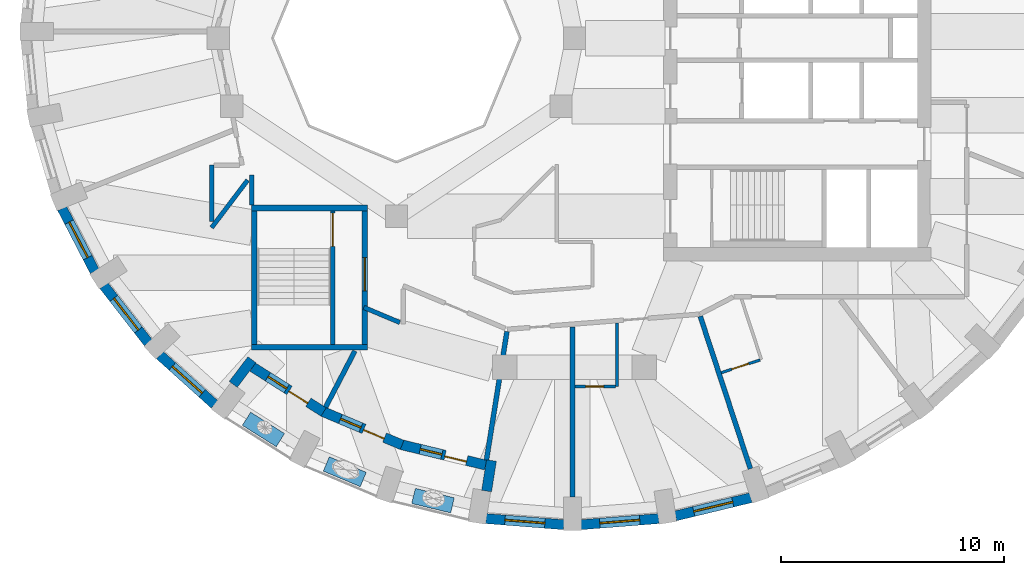
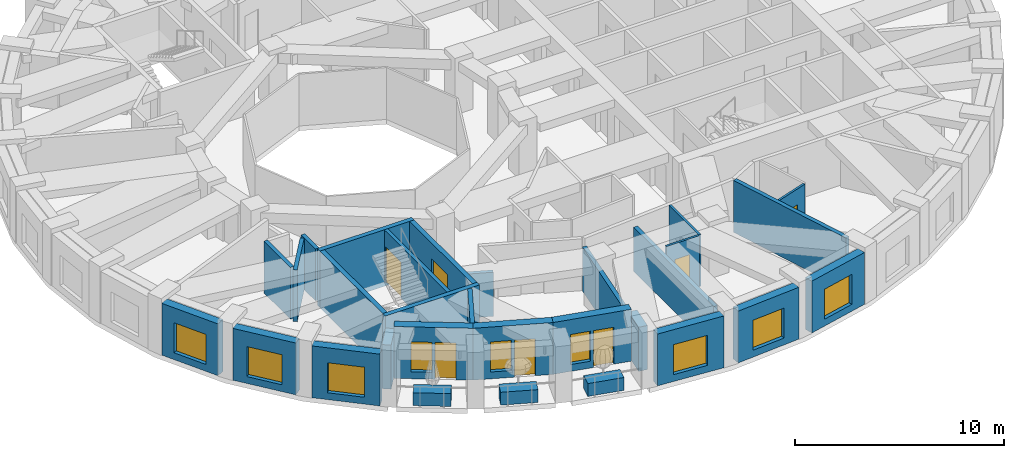
# One storey, part 3 of 12: 30 walls, 9 windows, 7 doors, 16 openings.
"""IFC4 building model written with IfcOpenShell, lengths in metres."""

from ifc_helpers import new_model, si_unit, direction, frame, frame_2d, origin, place, context, subcontext, project, spatial, rectangle, extrude, material, layer, layer_set, constituent, constituent_set, type_object, element, fill, save


model = new_model("IFC4")

# Units and contexts
model_context = context("Model", 3, precision=1e-05, world=origin(), true_north=direction((0.0, 1.0)))
body_context = subcontext(model_context, "Body", "Model", "MODEL_VIEW")
ifc_project = project(units=[si_unit("LENGTHUNIT", "METRE"), si_unit("AREAUNIT", "SQUARE_METRE"), si_unit("VOLUMEUNIT", "CUBIC_METRE"), si_unit("PLANEANGLEUNIT", "RADIAN"), si_unit("MASSUNIT", "GRAM", prefix="KILO")], contexts=[model_context])

# Site, building, storey
site_placement = place(None, origin())
site = spatial("IfcSite", under=ifc_project, at=site_placement, CompositionType="ELEMENT")
building_placement = place(site_placement, origin())
building = spatial("IfcBuilding", under=site, at=building_placement, Name="Taillehof Tower", CompositionType="ELEMENT")
storey_placement = place(building_placement, frame((0.0, 0.0, 253.10009765625)))
storey = spatial("IfcBuildingStorey", under=building, at=storey_placement, Name="L72", CompositionType="ELEMENT", Elevation=253.10009765625)

# Wall, opening, window
ifc_material_1 = material(Name="Brick masonry", Category="masonry")
ifc_layer_1 = layer(ifc_material_1, 0.449951171875)
ifc_layer_set_1 = layer_set([ifc_layer_1], Name="Brick infill wall 450")
wall_type_1 = type_object("IfcWallType", Name="Brick infill wall 450", PredefinedType="SOLIDWALL", material=ifc_layer_set_1)
wall_1_placement = place(storey_placement, frame((-23.010009765625, -7.6396484375, 0.0), z_axis=(0.0, 0.0, 1.0), x_axis=(0.459921155255, -0.887959757505, 0.0)))
wall_1 = element("IfcWall", 1, at=wall_1_placement, inside=storey, type_object=wall_type_1, Name="Brick wall L72 bay 21", PredefinedType="SOLIDWALL", context=body_context, shape_type="SweptSolid", body=[
    extrude(rectangle(XDim=3.185546875, YDim=0.449951171875, at=frame_2d((1.5927734375, 0.0))), origin(), (0.0, 0.0, 1.0), 3.02001953125),
])
opening_1_placement = place(wall_1_placement, frame((0.69287109375, 0.0, 0.39990234375)))
opening_1 = element("IfcOpeningElement", 2, at=opening_1_placement, cuts=wall_1, Name="Opening W4", PredefinedType="OPENING", context=body_context, shape_type="SweptSolid", body=[
    extrude(rectangle(XDim=1.800048828125, YDim=1.75, at=frame_2d((0.89990234375, 0.875))), frame((0.0, 0.23486328125, 0.0), z_axis=(0.0, -1.0, 0.0), x_axis=(1.0, 0.0, 0.0)), (0.0, 0.0, 1.0), 0.469970703125),
])
ifc_material_2 = material(Name="Aluminium window frame with clear double glazing", Category="aluminium")
window_type_1 = type_object("IfcWindowType", Name="Deep-set window 1800x1750", PartitioningType="SINGLE_PANEL", PredefinedType="WINDOW", material=ifc_material_2)
window_1_placement = place(opening_1_placement, origin())
window_1 = element("IfcWindow", 3, at=window_1_placement, inside=storey, type_object=window_type_1, Name="W4", OverallHeight=1.75, OverallWidth=1.800048828125, PartitioningType="SINGLE_PANEL", PredefinedType="WINDOW", context=body_context, shape_type="SweptSolid", body=[
    extrude(rectangle(XDim=1.800048828125, YDim=1.75, at=frame_2d((0.89990234375, 0.875))), frame((0.0, 0.034912109375, 0.0), z_axis=(0.0, -1.0, 0.0), x_axis=(1.0, 0.0, 0.0)), (0.0, 0.0, 1.0), 0.06005859375),
])
fill(opening_1, window_1)

wall_2_placement = place(storey_placement, frame((-21.135009765625, -11.108642578125, 0.0), z_axis=(0.0, 0.0, 1.0), x_axis=(0.613898970825, -0.789384604372, 0.0)))
wall_2 = element("IfcWall", 4, at=wall_2_placement, inside=storey, type_object=wall_type_1, Name="Brick wall L72 bay 22", PredefinedType="SOLIDWALL", context=body_context, shape_type="SweptSolid", body=[
    extrude(rectangle(XDim=3.2470703125, YDim=0.449951171875, at=frame_2d((1.62353515625, 0.0))), origin(), (0.0, 0.0, 1.0), 3.02001953125),
])
opening_2_placement = place(wall_2_placement, frame((0.7236328125, 0.0, 0.39990234375)))
opening_2 = element("IfcOpeningElement", 5, at=opening_2_placement, cuts=wall_2, Name="Opening W4", PredefinedType="OPENING", context=body_context, shape_type="SweptSolid", body=[
    extrude(rectangle(XDim=1.800048828125, YDim=1.75, at=frame_2d((0.89990234375, 0.875))), frame((0.0, 0.23486328125, 0.0), z_axis=(0.0, -1.0, 0.0), x_axis=(1.0, 0.0, 0.0)), (0.0, 0.0, 1.0), 0.469970703125),
])
window_2_placement = place(opening_2_placement, origin())
window_2 = element("IfcWindow", 6, at=window_2_placement, inside=storey, type_object=window_type_1, Name="W4", OverallHeight=1.75, OverallWidth=1.800048828125, PartitioningType="SINGLE_PANEL", PredefinedType="WINDOW", context=body_context, shape_type="SweptSolid", body=[
    extrude(rectangle(XDim=1.800048828125, YDim=1.75, at=frame_2d((0.89990234375, 0.875))), frame((0.0, 0.034912109375, 0.0), z_axis=(0.0, -1.0, 0.0), x_axis=(1.0, 0.0, 0.0)), (0.0, 0.0, 1.0), 0.06005859375),
])
fill(opening_2, window_2)

wall_3_placement = place(storey_placement, frame((-18.623779296875, -14.228515625, 0.0), z_axis=(0.0, 0.0, 1.0), x_axis=(0.743166014219, -0.669107073128, 0.0)))
wall_3 = element("IfcWall", 7, at=wall_3_placement, inside=storey, type_object=wall_type_1, Name="Brick wall L72 bay 23", PredefinedType="SOLIDWALL", context=body_context, shape_type="SweptSolid", body=[
    extrude(rectangle(XDim=3.31640625, YDim=0.449951171875, at=frame_2d((1.658203125, 0.0))), origin(), (0.0, 0.0, 1.0), 3.02001953125),
])
opening_3_placement = place(wall_3_placement, frame((0.75830078125, 0.0, 0.39990234375)))
opening_3 = element("IfcOpeningElement", 8, at=opening_3_placement, cuts=wall_3, Name="Opening W4", PredefinedType="OPENING", context=body_context, shape_type="SweptSolid", body=[
    extrude(rectangle(XDim=1.800048828125, YDim=1.75, at=frame_2d((0.89990234375, 0.875))), frame((0.0, 0.23486328125, 0.0), z_axis=(0.0, -1.0, 0.0), x_axis=(1.0, 0.0, 0.0)), (0.0, 0.0, 1.0), 0.469970703125),
])
window_3_placement = place(opening_3_placement, origin())
window_3 = element("IfcWindow", 9, at=window_3_placement, inside=storey, type_object=window_type_1, Name="W4", OverallHeight=1.75, OverallWidth=1.800048828125, PartitioningType="SINGLE_PANEL", PredefinedType="WINDOW", context=body_context, shape_type="SweptSolid", body=[
    extrude(rectangle(XDim=1.800048828125, YDim=1.75, at=frame_2d((0.89990234375, 0.875))), frame((0.0, 0.034912109375, 0.0), z_axis=(0.0, -1.0, 0.0), x_axis=(1.0, 0.0, 0.0)), (0.0, 0.0, 1.0), 0.06005859375),
])
fill(opening_3, window_3)

wall_4_placement = place(storey_placement, frame((-3.978515625, -21.56884765625, 0.0), z_axis=(0.0, 0.0, 1.0), x_axis=(0.996910775835, -0.078542377245, 0.0)))
wall_4 = element("IfcWall", 10, at=wall_4_placement, inside=storey, type_object=wall_type_1, Name="Brick wall L72 bay 27", PredefinedType="SOLIDWALL", context=body_context, shape_type="SweptSolid", body=[
    extrude(rectangle(XDim=3.50927734375, YDim=0.449951171875, at=frame_2d((1.754638671875, 0.0))), origin(), (0.0, 0.0, 1.0), 3.02001953125),
])
opening_4_placement = place(wall_4_placement, frame((0.854736328125, 0.0, 0.39990234375)))
opening_4 = element("IfcOpeningElement", 11, at=opening_4_placement, cuts=wall_4, Name="Opening W4", PredefinedType="OPENING", context=body_context, shape_type="SweptSolid", body=[
    extrude(rectangle(XDim=1.800048828125, YDim=1.75, at=frame_2d((0.89990234375, 0.875))), frame((0.0, 0.23486328125, 0.0), z_axis=(0.0, -1.0, 0.0), x_axis=(1.0, 0.0, 0.0)), (0.0, 0.0, 1.0), 0.469970703125),
])
window_4_placement = place(opening_4_placement, origin())
window_4 = element("IfcWindow", 12, at=window_4_placement, inside=storey, type_object=window_type_1, Name="W4", OverallHeight=1.75, OverallWidth=1.800048828125, PartitioningType="SINGLE_PANEL", PredefinedType="WINDOW", context=body_context, shape_type="SweptSolid", body=[
    extrude(rectangle(XDim=1.800048828125, YDim=1.75, at=frame_2d((0.89990234375, 0.875))), frame((0.0, 0.034912109375, 0.0), z_axis=(0.0, -1.0, 0.0), x_axis=(1.0, 0.0, 0.0)), (0.0, 0.0, 1.0), 0.06005859375),
])
fill(opening_4, window_4)

wall_5_placement = place(storey_placement, frame((0.280029296875, -21.844482421875, 0.0), z_axis=(0.0, 0.0, 1.0), x_axis=(0.996910775835, 0.078542377245, 0.0)))
wall_5 = element("IfcWall", 13, at=wall_5_placement, inside=storey, type_object=wall_type_1, Name="Brick wall L72 bay 28", PredefinedType="SOLIDWALL", context=body_context, shape_type="SweptSolid", body=[
    extrude(rectangle(XDim=3.50927734375, YDim=0.449951171875, at=frame_2d((1.754638671875, 0.0))), origin(), (0.0, 0.0, 1.0), 3.02001953125),
])
opening_5_placement = place(wall_5_placement, frame((0.854736328125, 0.0, 0.39990234375)))
opening_5 = element("IfcOpeningElement", 14, at=opening_5_placement, cuts=wall_5, Name="Opening W4", PredefinedType="OPENING", context=body_context, shape_type="SweptSolid", body=[
    extrude(rectangle(XDim=1.800048828125, YDim=1.75, at=frame_2d((0.89990234375, 0.875))), frame((0.0, 0.23486328125, 0.0), z_axis=(0.0, -1.0, 0.0), x_axis=(1.0, 0.0, 0.0)), (0.0, 0.0, 1.0), 0.469970703125),
])
window_5_placement = place(opening_5_placement, origin())
window_5 = element("IfcWindow", 15, at=window_5_placement, inside=storey, type_object=window_type_1, Name="W4", OverallHeight=1.75, OverallWidth=1.800048828125, PartitioningType="SINGLE_PANEL", PredefinedType="WINDOW", context=body_context, shape_type="SweptSolid", body=[
    extrude(rectangle(XDim=1.800048828125, YDim=1.75, at=frame_2d((0.89990234375, 0.875))), frame((0.0, 0.034912109375, 0.0), z_axis=(0.0, -1.0, 0.0), x_axis=(1.0, 0.0, 0.0)), (0.0, 0.0, 1.0), 0.06005859375),
])
fill(opening_5, window_5)

wall_6_placement = place(storey_placement, frame((4.529296875, -21.449462890625, 0.0), z_axis=(0.0, 0.0, 1.0), x_axis=(0.972115243017, 0.234503633859, 0.0)))
wall_6 = element("IfcWall", 16, at=wall_6_placement, inside=storey, type_object=wall_type_1, Name="Brick wall L72 bay 29", PredefinedType="SOLIDWALL", context=body_context, shape_type="SweptSolid", body=[
    extrude(rectangle(XDim=3.486572265625, YDim=0.449951171875, at=frame_2d((1.7431640625, 0.0))), origin(), (0.0, 0.0, 1.0), 3.02001953125),
])
opening_6_placement = place(wall_6_placement, frame((0.84326171875, 0.0, 0.39990234375)))
opening_6 = element("IfcOpeningElement", 17, at=opening_6_placement, cuts=wall_6, Name="Opening W4", PredefinedType="OPENING", context=body_context, shape_type="SweptSolid", body=[
    extrude(rectangle(XDim=1.800048828125, YDim=1.75, at=frame_2d((0.89990234375, 0.875))), frame((0.0, 0.23486328125, 0.0), z_axis=(0.0, -1.0, 0.0), x_axis=(1.0, 0.0, 0.0)), (0.0, 0.0, 1.0), 0.469970703125),
])
window_6_placement = place(opening_6_placement, origin())
window_6 = element("IfcWindow", 18, at=window_6_placement, inside=storey, type_object=window_type_1, Name="W4", OverallHeight=1.75, OverallWidth=1.800048828125, PartitioningType="SINGLE_PANEL", PredefinedType="WINDOW", context=body_context, shape_type="SweptSolid", body=[
    extrude(rectangle(XDim=1.800048828125, YDim=1.75, at=frame_2d((0.89990234375, 0.875))), frame((0.0, 0.034912109375, 0.0), z_axis=(0.0, -1.0, 0.0), x_axis=(1.0, 0.0, 0.0)), (0.0, 0.0, 1.0), 0.06005859375),
])
fill(opening_6, window_6)

# Walls
wall_7_placement = place(storey_placement, frame((-15.3271484375, -15.544677734375, 0.0), z_axis=(0.0, 0.0, 1.0), x_axis=(0.604148273711, 0.79687192407, 0.0)))
element("IfcWall", 19, at=wall_7_placement, inside=storey, type_object=wall_type_1, Name="Brick reveal L72 pocket 7", PredefinedType="SOLIDWALL", context=body_context, shape_type="SweptSolid", body=[
    extrude(rectangle(XDim=1.390869140625, YDim=0.449951171875, at=frame_2d((0.6953125, 0.0))), origin(), (0.0, 0.0, 1.0), 2.56982421875),
])
wall_8_placement = place(storey_placement, frame((-3.951416015625, -20.33349609375, 0.0), z_axis=(0.0, 0.0, 1.0), x_axis=(0.157189016474, 0.9875685359, 0.0)))
element("IfcWall", 20, at=wall_8_placement, inside=storey, type_object=wall_type_1, Name="Brick reveal L72 pocket 7", PredefinedType="SOLIDWALL", context=body_context, shape_type="SweptSolid", body=[
    extrude(rectangle(XDim=1.39013671875, YDim=0.449951171875, at=frame_2d((0.695068359375, 0.0))), origin(), (0.0, 0.0, 1.0), 2.56982421875),
])

# Wall, openings, door, window
wall_9_placement = place(storey_placement, frame((-14.455078125, -14.7666015625, 0.0), z_axis=(0.0, 0.0, 1.0), x_axis=(0.845183955488, -0.534475519912, 0.0)))
wall_9 = element("IfcWall", 21, at=wall_9_placement, inside=storey, type_object=wall_type_1, Name="Brick wall L72 pocket bay 24", PredefinedType="SOLIDWALL", context=body_context, shape_type="SweptSolid", body=[
    extrude(rectangle(XDim=3.7685546875, YDim=0.449951171875, at=frame_2d((1.88427734375, 0.0))), origin(), (0.0, 0.0, 1.0), 3.02001953125),
])
opening_7_placement = place(wall_9_placement, frame((0.809326171875, 0.0, 0.39990234375)))
opening_7 = element("IfcOpeningElement", 22, at=opening_7_placement, cuts=wall_9, Name="Opening W5", PredefinedType="OPENING", context=body_context, shape_type="SweptSolid", body=[
    extrude(rectangle(XDim=1.0, YDim=1.75, at=frame_2d((0.5, 0.875))), frame((0.0, 0.23486328125, 0.0), z_axis=(0.0, -1.0, 0.0), x_axis=(1.0, 0.0, 0.0)), (0.0, 0.0, 1.0), 0.469970703125),
])
opening_8_placement = place(wall_9_placement, frame((1.959228515625, 0.0, 0.0)))
opening_8 = element("IfcOpeningElement", 23, at=opening_8_placement, cuts=wall_9, Name="Opening D7294", PredefinedType="OPENING", context=body_context, shape_type="SweptSolid", body=[
    extrude(rectangle(XDim=1.0, YDim=2.14990234375, at=frame_2d((0.5, 1.074951171875))), frame((0.0, 0.23486328125, 0.0), z_axis=(0.0, -1.0, 0.0), x_axis=(1.0, 0.0, 0.0)), (0.0, 0.0, 1.0), 0.469970703125),
])
ifc_material_3 = material(Name="Aluminium door frame with clear double glazing", Category="aluminium")
door_type_1 = type_object("IfcDoorType", Name="Balcony door 1000x2150", OperationType="SINGLE_SWING_RIGHT", PredefinedType="DOOR", material=ifc_material_3)
door_1_placement = place(opening_8_placement, frame((1.0, 0.0, 0.0), z_axis=(0.0, 0.0, 1.0), x_axis=(-1.0, 0.0, 0.0)))
door_1 = element("IfcDoor", 24, at=door_1_placement, inside=storey, type_object=door_type_1, Name="Balcony door L72 bay 24", OperationType="SINGLE_SWING_RIGHT", OverallHeight=2.14990234375, OverallWidth=1.0, PredefinedType="DOOR", context=body_context, shape_type="SweptSolid", body=[
    extrude(rectangle(XDim=1.0, YDim=2.14990234375, at=frame_2d((0.5, 1.074951171875))), frame((0.0, 0.0751953125, 0.0), z_axis=(0.0, -1.0, 0.0), x_axis=(1.0, 0.0, 0.0)), (0.0, 0.0, 1.0), 0.050048828125),
])
fill(opening_8, door_1)
ifc_material_4 = material(Name="Aluminium window frame with clear double glazing", Category="aluminium")
window_type_2 = type_object("IfcWindowType", Name="Fixed window 1000x1750", PartitioningType="SINGLE_PANEL", PredefinedType="WINDOW", material=ifc_material_4)
window_7_placement = place(opening_7_placement, origin())
window_7 = element("IfcWindow", 25, at=window_7_placement, inside=storey, type_object=window_type_2, Name="W5", OverallHeight=1.75, OverallWidth=1.0, PartitioningType="SINGLE_PANEL", PredefinedType="WINDOW", context=body_context, shape_type="SweptSolid", body=[
    extrude(rectangle(XDim=1.0, YDim=1.75, at=frame_2d((0.5, 0.875))), frame((0.0, 0.034912109375, 0.0), z_axis=(0.0, -1.0, 0.0), x_axis=(1.0, 0.0, 0.0)), (0.0, 0.0, 1.0), 0.06005859375),
])
fill(opening_7, window_7)

wall_10_placement = place(storey_placement, frame((-11.302978515625, -16.763671875, 0.0), z_axis=(0.0, 0.0, 1.0), x_axis=(0.921625850704, -0.388079619813, 0.0)))
wall_10 = element("IfcWall", 26, at=wall_10_placement, inside=storey, type_object=wall_type_1, Name="Brick wall L72 pocket bay 25", PredefinedType="SOLIDWALL", context=body_context, shape_type="SweptSolid", body=[
    extrude(rectangle(XDim=3.860107421875, YDim=0.449951171875, at=frame_2d((1.93017578125, 0.0))), origin(), (0.0, 0.0, 1.0), 3.02001953125),
])
opening_9_placement = place(wall_10_placement, frame((0.855224609375, 0.0, 0.39990234375)))
opening_9 = element("IfcOpeningElement", 27, at=opening_9_placement, cuts=wall_10, Name="Opening W5", PredefinedType="OPENING", context=body_context, shape_type="SweptSolid", body=[
    extrude(rectangle(XDim=1.0, YDim=1.75, at=frame_2d((0.5, 0.875))), frame((0.0, 0.23486328125, 0.0), z_axis=(0.0, -1.0, 0.0), x_axis=(1.0, 0.0, 0.0)), (0.0, 0.0, 1.0), 0.469970703125),
])
opening_10_placement = place(wall_10_placement, frame((2.005126953125, 0.0, 0.0)))
opening_10 = element("IfcOpeningElement", 28, at=opening_10_placement, cuts=wall_10, Name="Opening D7295", PredefinedType="OPENING", context=body_context, shape_type="SweptSolid", body=[
    extrude(rectangle(XDim=1.0, YDim=2.14990234375, at=frame_2d((0.5, 1.074951171875))), frame((0.0, 0.23486328125, 0.0), z_axis=(0.0, -1.0, 0.0), x_axis=(1.0, 0.0, 0.0)), (0.0, 0.0, 1.0), 0.469970703125),
])
door_2_placement = place(opening_10_placement, frame((1.0, 0.0, 0.0), z_axis=(0.0, 0.0, 1.0), x_axis=(-1.0, 0.0, 0.0)))
door_2 = element("IfcDoor", 29, at=door_2_placement, inside=storey, type_object=door_type_1, Name="Balcony door L72 bay 25", OperationType="SINGLE_SWING_LEFT", OverallHeight=2.14990234375, OverallWidth=1.0, PredefinedType="DOOR", context=body_context, shape_type="SweptSolid", body=[
    extrude(rectangle(XDim=1.0, YDim=2.14990234375, at=frame_2d((0.5, 1.074951171875))), frame((0.0, 0.0751953125, 0.0), z_axis=(0.0, -1.0, 0.0), x_axis=(1.0, 0.0, 0.0)), (0.0, 0.0, 1.0), 0.050048828125),
])
fill(opening_10, door_2)
window_8_placement = place(opening_9_placement, origin())
window_8 = element("IfcWindow", 30, at=window_8_placement, inside=storey, type_object=window_type_2, Name="W5", OverallHeight=1.75, OverallWidth=1.0, PartitioningType="SINGLE_PANEL", PredefinedType="WINDOW", context=body_context, shape_type="SweptSolid", body=[
    extrude(rectangle(XDim=1.0, YDim=1.75, at=frame_2d((0.5, 0.875))), frame((0.0, 0.034912109375, 0.0), z_axis=(0.0, -1.0, 0.0), x_axis=(1.0, 0.0, 0.0)), (0.0, 0.0, 1.0), 0.06005859375),
])
fill(opening_9, window_8)

wall_11_placement = place(storey_placement, frame((-7.779541015625, -18.25048828125, 0.0), z_axis=(0.0, 0.0, 1.0), x_axis=(0.971943523304, -0.235214343755, 0.0)))
wall_11 = element("IfcWall", 31, at=wall_11_placement, inside=storey, type_object=wall_type_1, Name="Brick wall L72 pocket bay 26", PredefinedType="SOLIDWALL", context=body_context, shape_type="SweptSolid", body=[
    extrude(rectangle(XDim=3.8955078125, YDim=0.449951171875, at=frame_2d((1.94775390625, 0.0))), origin(), (0.0, 0.0, 1.0), 3.02001953125),
])
opening_11_placement = place(wall_11_placement, frame((0.872802734375, 0.0, 0.39990234375)))
opening_11 = element("IfcOpeningElement", 32, at=opening_11_placement, cuts=wall_11, Name="Opening W5", PredefinedType="OPENING", context=body_context, shape_type="SweptSolid", body=[
    extrude(rectangle(XDim=1.0, YDim=1.75, at=frame_2d((0.5, 0.875))), frame((0.0, 0.23486328125, 0.0), z_axis=(0.0, -1.0, 0.0), x_axis=(1.0, 0.0, 0.0)), (0.0, 0.0, 1.0), 0.469970703125),
])
opening_12_placement = place(wall_11_placement, frame((2.022705078125, 0.0, 0.0)))
opening_12 = element("IfcOpeningElement", 33, at=opening_12_placement, cuts=wall_11, Name="Opening D7296", PredefinedType="OPENING", context=body_context, shape_type="SweptSolid", body=[
    extrude(rectangle(XDim=1.0, YDim=2.14990234375, at=frame_2d((0.5, 1.074951171875))), frame((0.0, 0.23486328125, 0.0), z_axis=(0.0, -1.0, 0.0), x_axis=(1.0, 0.0, 0.0)), (0.0, 0.0, 1.0), 0.469970703125),
])
door_3_placement = place(opening_12_placement, frame((1.0, 0.0, 0.0), z_axis=(0.0, 0.0, 1.0), x_axis=(-1.0, 0.0, 0.0)))
door_3 = element("IfcDoor", 34, at=door_3_placement, inside=storey, type_object=door_type_1, Name="Balcony door L72 bay 26", OperationType="SINGLE_SWING_LEFT", OverallHeight=2.14990234375, OverallWidth=1.0, PredefinedType="DOOR", context=body_context, shape_type="SweptSolid", body=[
    extrude(rectangle(XDim=1.0, YDim=2.14990234375, at=frame_2d((0.5, 1.074951171875))), frame((0.0, 0.0751953125, 0.0), z_axis=(0.0, -1.0, 0.0), x_axis=(1.0, 0.0, 0.0)), (0.0, 0.0, 1.0), 0.050048828125),
])
fill(opening_12, door_3)
window_9_placement = place(opening_11_placement, origin())
window_9 = element("IfcWindow", 35, at=window_9_placement, inside=storey, type_object=window_type_2, Name="W5", OverallHeight=1.75, OverallWidth=1.0, PartitioningType="SINGLE_PANEL", PredefinedType="WINDOW", context=body_context, shape_type="SweptSolid", body=[
    extrude(rectangle(XDim=1.0, YDim=1.75, at=frame_2d((0.5, 0.875))), frame((0.0, 0.034912109375, 0.0), z_axis=(0.0, -1.0, 0.0), x_axis=(1.0, 0.0, 0.0)), (0.0, 0.0, 1.0), 0.06005859375),
])
fill(opening_11, window_9)

# Walls
ifc_material_5 = material(Name="Gypsum board on steel studs, two layers each side", Category="steel")
ifc_layer_2 = layer(ifc_material_5, 0.199951171875)
ifc_layer_set_2 = layer_set([ifc_layer_2], Name="Compartment wall corridor 200")
wall_type_2 = type_object("IfcWallType", Name="Compartment wall corridor 200", PredefinedType="PARTITIONING", material=ifc_layer_set_2)
wall_12_placement = place(storey_placement, frame((-7.846435546875, -12.765869140625, 0.0), z_axis=(0.0, 0.0, 1.0), x_axis=(-0.921813756196, 0.387633072489, 0.0)))
element("IfcWall", 36, at=wall_12_placement, inside=storey, type_object=wall_type_2, Name="Compartment wall", PredefinedType="PARTITIONING", context=body_context, shape_type="SweptSolid", body=[
    extrude(rectangle(XDim=1.7509765625, YDim=0.199951171875, at=frame_2d((0.87548828125, 0.0))), origin(), (0.0, 0.0, 1.0), 2.56982421875),
])
wall_13_placement = place(storey_placement, frame((-14.5, -7.49609375, 0.0), z_axis=(0.0, 0.0, 1.0), x_axis=(0.0, 1.0, 0.0)))
element("IfcWall", 37, at=wall_13_placement, inside=storey, type_object=wall_type_2, Name="Compartment wall", PredefinedType="PARTITIONING", context=body_context, shape_type="SweptSolid", body=[
    extrude(rectangle(XDim=1.36181640625, YDim=0.199951171875, at=frame_2d((0.680908203125, 0.0))), origin(), (0.0, 0.0, 1.0), 3.02001953125),
])
wall_14_placement = place(storey_placement, frame((-14.679443359375, -6.372314453125, 0.0), z_axis=(0.0, 0.0, 1.0), x_axis=(-0.604258962547, -0.796787993247, 0.0)))
element("IfcWall", 38, at=wall_14_placement, inside=storey, type_object=wall_type_2, Name="Compartment wall", PredefinedType="PARTITIONING", context=body_context, shape_type="SweptSolid", body=[
    extrude(rectangle(XDim=2.681884765625, YDim=0.199951171875, at=frame_2d((1.3408203125, 0.0))), origin(), (0.0, 0.0, 1.0), 3.02001953125),
])
wall_15_placement = place(storey_placement, frame((-16.300048828125, -8.22900390625, 0.0), z_axis=(0.0, 0.0, 1.0), x_axis=(0.0, 1.0, 0.0)))
element("IfcWall", 39, at=wall_15_placement, inside=storey, type_object=wall_type_2, Name="Compartment wall", PredefinedType="PARTITIONING", context=body_context, shape_type="SweptSolid", body=[
    extrude(rectangle(XDim=2.529052734375, YDim=0.199951171875, at=frame_2d((1.2646484375, 0.0))), origin(), (0.0, 0.0, 1.0), 3.02001953125),
])
ifc_material_6 = material(Name="Gypsum board on double steel studs with mineral wool", Category="steel")
ifc_layer_3 = layer(ifc_material_6, 0.219970703125)
ifc_layer_set_3 = layer_set([ifc_layer_3], Name="Compartment wall guest room 220")
wall_type_3 = type_object("IfcWallType", Name="Compartment wall guest room 220", PredefinedType="PARTITIONING", material=ifc_layer_set_3)
wall_16_placement = place(storey_placement, frame((-11.181396484375, -16.570556640625, 0.0), z_axis=(0.0, 0.0, 1.0), x_axis=(0.462325972726, 0.886710039947, 0.0)))
element("IfcWall", 40, at=wall_16_placement, inside=storey, type_object=wall_type_3, Name="Compartment wall", PredefinedType="PARTITIONING", context=body_context, shape_type="SweptSolid", body=[
    extrude(rectangle(XDim=2.8505859375, YDim=0.219970703125, at=frame_2d((1.42529296875, 0.0))), origin(), (0.0, 0.0, 1.0), 3.02001953125),
])
wall_17_placement = place(storey_placement, frame((-3.9580078125, -18.94384765625, 0.0), z_axis=(0.0, 0.0, 1.0), x_axis=(0.157252920937, 0.987558362253, 0.0)))
element("IfcWall", 41, at=wall_17_placement, inside=storey, type_object=wall_type_3, Name="Compartment wall", PredefinedType="PARTITIONING", context=body_context, shape_type="SweptSolid", body=[
    extrude(rectangle(XDim=5.848388671875, YDim=0.219970703125, at=frame_2d((2.92431640625, 0.0))), origin(), (0.0, 0.0, 1.0), 2.56982421875),
])
wall_18_placement = place(storey_placement, frame((-0.10009765625, -20.60009765625, 0.0), z_axis=(0.0, 0.0, 1.0), x_axis=(0.0, 1.0, 0.0)))
element("IfcWall", 42, at=wall_18_placement, inside=storey, type_object=wall_type_3, Name="Compartment wall", PredefinedType="PARTITIONING", context=body_context, shape_type="SweptSolid", body=[
    extrude(rectangle(XDim=7.64013671875, YDim=0.219970703125, at=frame_2d((3.820068359375, 0.0))), origin(), (0.0, 0.0, 1.0), 2.56982421875),
])
wall_19_placement = place(storey_placement, frame((7.891357421875, -19.331787109375, 0.0), z_axis=(0.0, 0.0, 1.0), x_axis=(-0.31230054546, 0.94998335212, 0.0)))
element("IfcWall", 43, at=wall_19_placement, inside=storey, type_object=wall_type_3, Name="Compartment wall", PredefinedType="PARTITIONING", context=body_context, shape_type="SweptSolid", body=[
    extrude(rectangle(XDim=7.203857421875, YDim=0.219970703125, at=frame_2d((3.60205078125, 0.0))), origin(), (0.0, 0.0, 1.0), 3.02001953125),
])
ifc_material_7 = material(Name="Gypsum board on steel studs, moisture resistant", Category="steel")
ifc_layer_4 = layer(ifc_material_7, 0.1201171875)
ifc_layer_set_4 = layer_set([ifc_layer_4], Name="En-suite wall 120")
wall_type_4 = type_object("IfcWallType", Name="En-suite wall 120", PredefinedType="PARTITIONING", material=ifc_layer_set_4)
wall_20_placement = place(storey_placement, frame((1.89990234375, -12.782958984375, 0.0), z_axis=(0.0, 0.0, 1.0), x_axis=(0.0, -1.0, 0.0)))
element("IfcWall", 44, at=wall_20_placement, inside=storey, type_object=wall_type_4, Name="En-suite wall", PredefinedType="PARTITIONING", context=body_context, shape_type="SweptSolid", body=[
    extrude(rectangle(XDim=2.856689453125, YDim=0.1201171875, at=frame_2d((1.42822265625, 0.0))), origin(), (0.0, 0.0, 1.0), 3.02001953125),
])

# Wall, opening, door
wall_21_placement = place(storey_placement, frame((1.83984375, -15.6396484375, 0.0), z_axis=(0.0, 0.0, 1.0), x_axis=(-1.0, 0.0, 0.0)))
wall_21 = element("IfcWall", 45, at=wall_21_placement, inside=storey, type_object=wall_type_4, Name="En-suite wall", PredefinedType="PARTITIONING", context=body_context, shape_type="SweptSolid", body=[
    extrude(rectangle(XDim=1.829833984375, YDim=0.1201171875, at=frame_2d((0.9150390625, 0.0))), origin(), (0.0, 0.0, 1.0), 3.02001953125),
])
opening_13_placement = place(wall_21_placement, frame((0.539794921875, 0.0, 0.0)))
opening_13 = element("IfcOpeningElement", 46, at=opening_13_placement, cuts=wall_21, Name="Opening D7253", PredefinedType="OPENING", context=body_context, shape_type="SweptSolid", body=[
    extrude(rectangle(XDim=0.800048828125, YDim=2.10009765625, at=frame_2d((0.39990234375, 1.050048828125))), frame((0.0, 0.070068359375, 0.0), z_axis=(0.0, -1.0, 0.0), x_axis=(1.0, 0.0, 0.0)), (0.0, 0.0, 1.0), 0.14013671875),
])
ifc_material_8 = material(Name="Timber door leaf in steel frame", Category="steel")
door_type_2 = type_object("IfcDoorType", Name="En-suite door 800 x 2100", OperationType="SINGLE_SWING_LEFT", PredefinedType="DOOR", material=ifc_material_8)
door_4_placement = place(opening_13_placement, origin())
door_4 = element("IfcDoor", 47, at=door_4_placement, inside=storey, type_object=door_type_2, Name="D7253", OperationType="SINGLE_SWING_RIGHT", OverallHeight=2.10009765625, OverallWidth=0.800048828125, PredefinedType="DOOR", context=body_context, shape_type="SweptSolid", body=[
    extrude(rectangle(XDim=0.800048828125, YDim=2.10009765625, at=frame_2d((0.39990234375, 1.050048828125))), frame((0.0, 0.02490234375, 0.0), z_axis=(0.0, -1.0, 0.0), x_axis=(1.0, 0.0, 0.0)), (0.0, 0.0, 1.0), 0.050048828125),
])
fill(opening_13, door_4)

wall_22_placement = place(storey_placement, frame((8.3271484375, -14.4453125, 0.0), z_axis=(0.0, 0.0, 1.0), x_axis=(-0.950022140222, -0.312182531684, 0.0)))
wall_22 = element("IfcWall", 48, at=wall_22_placement, inside=storey, type_object=wall_type_4, Name="En-suite wall", PredefinedType="PARTITIONING", context=body_context, shape_type="SweptSolid", body=[
    extrude(rectangle(XDim=1.830078125, YDim=0.1201171875, at=frame_2d((0.9150390625, 0.0))), origin(), (0.0, 0.0, 1.0), 3.02001953125),
])
opening_14_placement = place(wall_22_placement, frame((0.5400390625, 0.0, 0.0)))
opening_14 = element("IfcOpeningElement", 49, at=opening_14_placement, cuts=wall_22, Name="Opening D7255", PredefinedType="OPENING", context=body_context, shape_type="SweptSolid", body=[
    extrude(rectangle(XDim=0.800048828125, YDim=2.10009765625, at=frame_2d((0.39990234375, 1.050048828125))), frame((0.0, 0.070068359375, 0.0), z_axis=(0.0, -1.0, 0.0), x_axis=(1.0, 0.0, 0.0)), (0.0, 0.0, 1.0), 0.14013671875),
])
door_5_placement = place(opening_14_placement, origin())
door_5 = element("IfcDoor", 50, at=door_5_placement, inside=storey, type_object=door_type_2, Name="D7255", OperationType="SINGLE_SWING_RIGHT", OverallHeight=2.10009765625, OverallWidth=0.800048828125, PredefinedType="DOOR", context=body_context, shape_type="SweptSolid", body=[
    extrude(rectangle(XDim=0.800048828125, YDim=2.10009765625, at=frame_2d((0.39990234375, 1.050048828125))), frame((0.0, 0.02490234375, 0.0), z_axis=(0.0, -1.0, 0.0), x_axis=(1.0, 0.0, 0.0)), (0.0, 0.0, 1.0), 0.050048828125),
])
fill(opening_14, door_5)

# Walls
ifc_material_9 = material(Name="Concrete C30/37 precast", Category="concrete")
ifc_constituent_1 = constituent(ifc_material_9, Name="Structure", Category="concrete")
ifc_material_10 = material(Name="Insulated lining")
ifc_constituent_2 = constituent(ifc_material_10, Name="Lining")
ifc_constituent_set = constituent_set(constituents=[ifc_constituent_1, ifc_constituent_2], Name="Planter trough 700x750")
wall_type_5 = type_object("IfcWallType", Name="Planter trough 700x750", PredefinedType="USERDEFINED", material=ifc_constituent_set)
for number, where, z_axis, x_axis, name in (
    (51, (-14.731201171875, -17.087158203125, 0.0), (0.0, 0.0, 1.0), (0.845926932753, -0.533298813465, 0.0), "Planter L72 bay 24"),
    (52, (-11.14794921875, -19.1171875, 0.0), (0.0, 0.0, 1.0), (0.922038267928, -0.387098737374, 0.0), "Planter L72 bay 25"),
    (53, (-7.232177734375, -20.552490234375, 0.0), (0.0, 0.0, 1.0), (0.972112071369, -0.234516781275, 0.0), "Planter L72 bay 26"),
):
    element("IfcWall", number, at=place(storey_placement, frame(where, z_axis=z_axis, x_axis=x_axis)), inside=storey, type_object=wall_type_5, Name=name, ObjectType="PLANTER", PredefinedType="USERDEFINED", context=body_context, shape_type="SweptSolid", body=[
        extrude(rectangle(XDim=1.800048828125, YDim=0.699951171875, at=frame_2d((0.89990234375, 0.0))), origin(), (0.0, 0.0, 1.0), 0.75),
    ])

# Wall, opening, door
ifc_material_11 = material(Name="Concrete C50/60", Category="concrete")
ifc_layer_5 = layer(ifc_material_11, 0.199951171875)
ifc_layer_set_5 = layer_set([ifc_layer_5], Name="Shaft wall C50/60 200")
wall_type_6 = type_object("IfcWallType", Name="Shaft wall C50/60 200", PredefinedType="SHEAR", material=ifc_layer_set_5)
wall_23_placement = place(storey_placement, frame((-10.85009765625, -13.75, 0.0), z_axis=(0.0, 0.0, 1.0), x_axis=(0.0, 1.0, 0.0)))
wall_23 = element("IfcWall", 54, at=wall_23_placement, inside=storey, type_object=wall_type_6, Name="Shaft wall SW", PredefinedType="SHEAR", context=body_context, shape_type="SweptSolid", body=[
    extrude(rectangle(XDim=6.0, YDim=0.199951171875, at=frame_2d((3.0, 0.0))), origin(), (0.0, 0.0, 1.0), 3.02001953125),
])
opening_15_placement = place(wall_23_placement, frame((4.39990234375, 0.0, 0.0)))
opening_15 = element("IfcOpeningElement", 55, at=opening_15_placement, cuts=wall_23, Name="Opening D7213", PredefinedType="OPENING", context=body_context, shape_type="SweptSolid", body=[
    extrude(rectangle(XDim=1.5, YDim=2.10009765625, at=frame_2d((0.75, 1.050048828125))), frame((0.0, 0.10986328125, 0.0), z_axis=(0.0, -1.0, 0.0), x_axis=(1.0, 0.0, 0.0)), (0.0, 0.0, 1.0), 0.219970703125),
])
ifc_material_12 = material(Name="Steel-faced fire door", Category="steel")
door_type_3 = type_object("IfcDoorType", Name="Stair door 1500x2100", OperationType="DOUBLE_DOOR_SINGLE_SWING", PredefinedType="DOOR", material=ifc_material_12)
door_6_placement = place(opening_15_placement, origin())
door_6 = element("IfcDoor", 56, at=door_6_placement, inside=storey, type_object=door_type_3, Name="Stair lobby door S4", OperationType="DOUBLE_DOOR_SINGLE_SWING", OverallHeight=2.10009765625, OverallWidth=1.5, PredefinedType="DOOR", context=body_context, shape_type="SweptSolid", body=[
    extrude(rectangle(XDim=1.5, YDim=2.10009765625, at=frame_2d((0.75, 1.050048828125))), frame((0.0, 0.02490234375, 0.0), z_axis=(0.0, -1.0, 0.0), x_axis=(1.0, 0.0, 0.0)), (0.0, 0.0, 1.0), 0.050048828125),
])
fill(opening_15, door_6)

# Wall
ifc_material_13 = material(Name="Concrete C50/60", Category="concrete")
ifc_layer_6 = layer(ifc_material_13, 0.25)
ifc_layer_set_6 = layer_set([ifc_layer_6], Name="Stair wall C50/60 250")
wall_type_7 = type_object("IfcWallType", Name="Stair wall C50/60 250", PredefinedType="SHEAR", material=ifc_layer_set_6)
wall_24_placement = place(storey_placement, frame((-14.375, -13.75, -0.280029296875), z_axis=(0.0, 0.0, 1.0), x_axis=(0.0, 1.0, 0.0)))
element("IfcWall", 57, at=wall_24_placement, inside=storey, type_object=wall_type_7, Name="Stair wall SC", PredefinedType="SHEAR", context=body_context, shape_type="SweptSolid", body=[
    extrude(rectangle(XDim=6.0, YDim=0.25, at=frame_2d((3.0, 0.0))), origin(), (0.0, 0.0, 1.0), 3.300048828125),
])

# Wall, opening, door
wall_25_placement = place(storey_placement, frame((-9.425048828125, -13.75, -0.280029296875), z_axis=(0.0, 0.0, 1.0), x_axis=(0.0, 1.0, 0.0)))
wall_25 = element("IfcWall", 58, at=wall_25_placement, inside=storey, type_object=wall_type_7, Name="Stair wall SC", PredefinedType="SHEAR", context=body_context, shape_type="SweptSolid", body=[
    extrude(rectangle(XDim=6.0, YDim=0.25, at=frame_2d((3.0, 0.0))), origin(), (0.0, 0.0, 1.0), 3.300048828125),
])
opening_16_placement = place(wall_25_placement, frame((2.39990234375, 0.0, 0.280029296875)))
opening_16 = element("IfcOpeningElement", 59, at=opening_16_placement, cuts=wall_25, Name="Opening D7216", PredefinedType="OPENING", context=body_context, shape_type="SweptSolid", body=[
    extrude(rectangle(XDim=1.5, YDim=2.10009765625, at=frame_2d((0.75, 1.050048828125))), frame((0.0, 0.135009765625, 0.0), z_axis=(0.0, -1.0, 0.0), x_axis=(1.0, 0.0, 0.0)), (0.0, 0.0, 1.0), 0.27001953125),
])
door_7_placement = place(opening_16_placement, origin())
door_7 = element("IfcDoor", 60, at=door_7_placement, inside=storey, type_object=door_type_3, Name="Stair door S4", OperationType="DOUBLE_DOOR_SINGLE_SWING", OverallHeight=2.10009765625, OverallWidth=1.5, PredefinedType="DOOR", context=body_context, shape_type="SweptSolid", body=[
    extrude(rectangle(XDim=1.5, YDim=2.10009765625, at=frame_2d((0.75, 1.050048828125))), frame((0.0, 0.02490234375, 0.0), z_axis=(0.0, -1.0, 0.0), x_axis=(1.0, 0.0, 0.0)), (0.0, 0.0, 1.0), 0.050048828125),
])
fill(opening_16, door_7)

# Walls
for number, where, z_axis, x_axis, name in (
    (61, (-14.5, -7.625, -0.280029296875), (0.0, 0.0, 1.0), (1.0, 0.0, 0.0), "Stair wall SC"),
    (62, (-14.5, -13.875, -0.280029296875), (0.0, 0.0, 1.0), (1.0, 0.0, 0.0), "Stair wall SC"),
):
    element("IfcWall", number, at=place(storey_placement, frame(where, z_axis=z_axis, x_axis=x_axis)), inside=storey, type_object=wall_type_7, Name=name, PredefinedType="SHEAR", context=body_context, shape_type="SweptSolid", body=[
        extrude(rectangle(XDim=5.199951171875, YDim=0.25, at=frame_2d((2.60009765625, 0.0))), origin(), (0.0, 0.0, 1.0), 3.300048828125),
    ])

save(model, "model.ifc")
